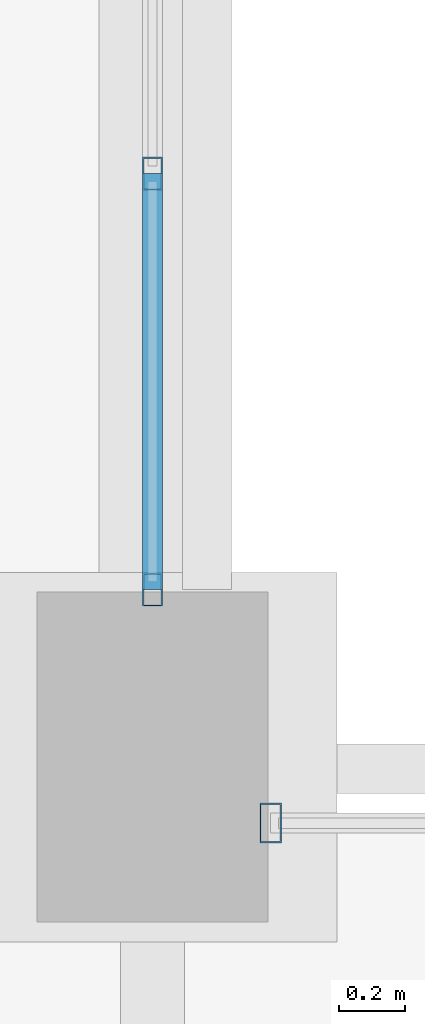
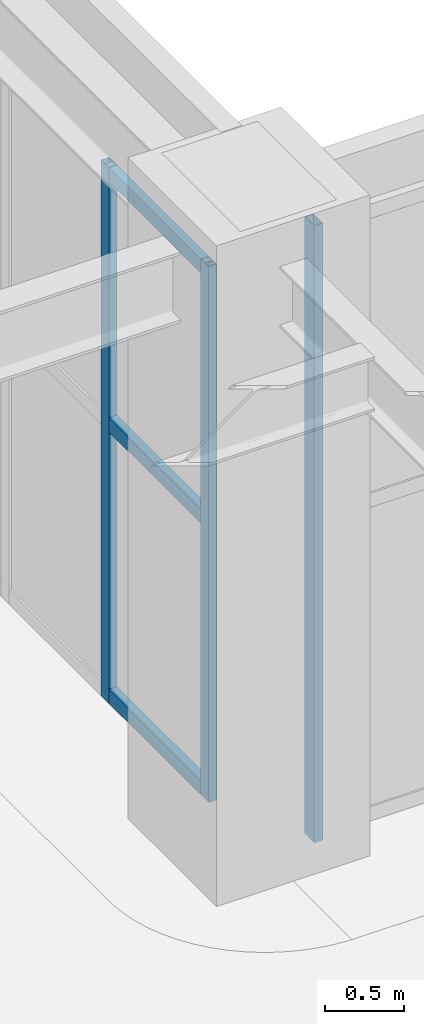
# One storey, part 90 of 174: 6 members, 2 elements without a shape of their own.
"""IFC4 building model written with IfcOpenShell, lengths in metres."""

from ifc_helpers import new_model, si_unit, direction, frame, origin, origin_2d, place, context, subcontext, project, spatial, hollow_rectangle, extrude, material, material_profile, profile_set, type_object, element, aggregate, save


model = new_model("IFC4")

# Units and contexts
model_context = context("Model", 3, precision=1e-05, world=origin(), true_north=direction((0.0, 1.0)))
body_context = subcontext(model_context, "Body", "Model", "MODEL_VIEW")
ifc_project = project(units=[si_unit("LENGTHUNIT", "METRE"), si_unit("AREAUNIT", "SQUARE_METRE"), si_unit("VOLUMEUNIT", "CUBIC_METRE"), si_unit("PLANEANGLEUNIT", "RADIAN"), si_unit("MASSUNIT", "GRAM", prefix="KILO")], contexts=[model_context])

# Site, building, storey
site_placement = place(None, origin())
site = spatial("IfcSite", under=ifc_project, at=site_placement, CompositionType="ELEMENT")
building_placement = place(site_placement, origin())
building = spatial("IfcBuilding", under=site, at=building_placement, Name="Mavantir Sound Aquarium", CompositionType="ELEMENT")
storey_placement = place(building_placement, frame((0.0, 0.0, 5.39990234375)))
storey = spatial("IfcBuildingStorey", under=building, at=storey_placement, Name="L01", CompositionType="ELEMENT", Elevation=5.39990234375)

# Curtain wall, members
ifc_material_1 = material(Name="Anodised Marine Aluminium and Low-E Glass", Category="aluminium")
curtain_wall_type_1 = type_object("IfcCurtainWallType", Name="CW-T13", PredefinedType="USERDEFINED", material=ifc_material_1)
curtain_wall_1_placement = place(storey_placement, origin())
curtain_wall_1 = element("IfcCurtainWall", 1, at=curtain_wall_1_placement, inside=storey, type_object=curtain_wall_type_1, Name="L01 unitised curtain wall CW-13 85", ObjectType="UNITISED GLAZING", PredefinedType="USERDEFINED")
ifc_material_2 = material(Name="Anodised Marine Aluminium 6063-T6", Category="aluminium")
ifc_material_profile_1 = material_profile(ifc_material_2, hollow_rectangle(XDim=0.06005859375, YDim=0.10009765625, WallThickness=0.00390625, at=origin_2d()), Name="ALU-MULLION-100X60")
ifc_profile_set_1 = profile_set([ifc_material_profile_1], Name="Anodised Marine Aluminium 6063-T6")
member_type_1 = type_object("IfcMemberType", Name="CW-MUL-100", PredefinedType="MULLION", material=ifc_profile_set_1)
member_1_placement = place(storey_placement, frame((127.199951171875, 86.30810546875, 0.0), z_axis=(0.0, 0.0, 1.0), x_axis=(1.0, 0.0, 0.0)))
member_1 = element("IfcMember", 2, at=member_1_placement, type_object=member_type_1, Name="CW-L01-085 vertical mullion 1", PredefinedType="MULLION", context=body_context, shape_type="SweptSolid", body=[
    extrude(hollow_rectangle(XDim=0.06005859375, YDim=0.10009765625, WallThickness=0.00390625, at=origin_2d()), origin(), (0.0, 0.0, 1.0), 4.135009765625),
])
member_2_placement = place(storey_placement, frame((127.199951171875, 87.5693359375, 0.0), z_axis=(0.0, 0.0, 1.0), x_axis=(1.0, 0.0, 0.0)))
member_2 = element("IfcMember", 3, at=member_2_placement, type_object=member_type_1, Name="CW-L01-085 vertical mullion 2", PredefinedType="MULLION", context=body_context, shape_type="SweptSolid", body=[
    extrude(hollow_rectangle(XDim=0.06005859375, YDim=0.10009765625, WallThickness=0.00390625, at=origin_2d()), origin(), (0.0, 0.0, 1.0), 4.135009765625),
])

# Curtain wall, member
curtain_wall_type_2 = type_object("IfcCurtainWallType", Name="CW-T12", PredefinedType="USERDEFINED", material=ifc_material_1)
curtain_wall_2_placement = place(storey_placement, origin())
curtain_wall_2 = element("IfcCurtainWall", 4, at=curtain_wall_2_placement, inside=storey, type_object=curtain_wall_type_2, Name="L01 unitised curtain wall CW-12 84", ObjectType="UNITISED GLAZING", PredefinedType="USERDEFINED")
ifc_material_profile_2 = material_profile(ifc_material_2, hollow_rectangle(XDim=0.06494140625, YDim=0.1201171875, WallThickness=0.00390625, at=origin_2d()), Name="ALU-MULLION-120X65")
ifc_profile_set_2 = profile_set([ifc_material_profile_2], Name="Anodised Marine Aluminium 6063-T6")
member_type_2 = type_object("IfcMemberType", Name="CW-MUL-120", PredefinedType="MULLION", material=ifc_profile_set_2)
member_3_placement = place(storey_placement, frame((127.55810546875, 85.60009765625, 0.0), z_axis=(0.0, 0.0, 1.0), x_axis=(1.0, 0.0, 0.0)))
member_3 = element("IfcMember", 5, at=member_3_placement, type_object=member_type_2, Name="CW-L01-084 vertical mullion 7", PredefinedType="MULLION", context=body_context, shape_type="SweptSolid", body=[
    extrude(hollow_rectangle(XDim=0.06494140625, YDim=0.1201171875, WallThickness=0.00390625, at=origin_2d()), origin(), (0.0, 0.0, 1.0), 4.760009765625),
])
aggregate(curtain_wall_2, [member_3])

# Member
ifc_material_profile_3 = material_profile(ifc_material_2, hollow_rectangle(XDim=0.06005859375, YDim=0.110107421875, WallThickness=0.00390625, at=origin_2d()), Name="ALU-TRANSOM-110X60")
ifc_profile_set_3 = profile_set([ifc_material_profile_3], Name="Anodised Marine Aluminium 6063-T6")
member_type_3 = type_object("IfcMemberType", Name="CW-TRN-110", PredefinedType="USERDEFINED", material=ifc_profile_set_3)
member_4_placement = place(storey_placement, frame((127.199951171875, 86.30810546875, 0.05517578125), z_axis=(0.0, 1.0, 0.0), x_axis=(-1.0, 0.0, 0.0)))
member_4 = element("IfcMember", 6, at=member_4_placement, type_object=member_type_3, Name="CW-L01-085 transom 1.1", ObjectType="TRANSOM", PredefinedType="USERDEFINED", context=body_context, shape_type="SweptSolid", body=[
    extrude(hollow_rectangle(XDim=0.06005859375, YDim=0.110107421875, WallThickness=0.00390625, at=origin_2d()), origin(), (0.0, 0.0, 1.0), 1.26123046875),
])

member_5_placement = place(storey_placement, frame((127.199951171875, 86.30810546875, 2.150390625), z_axis=(0.0, 1.0, 0.0), x_axis=(-1.0, 0.0, 0.0)))
member_5 = element("IfcMember", 7, at=member_5_placement, type_object=member_type_3, Name="CW-L01-085 transom 1.2", ObjectType="TRANSOM", PredefinedType="USERDEFINED", context=body_context, shape_type="SweptSolid", body=[
    extrude(hollow_rectangle(XDim=0.06005859375, YDim=0.110107421875, WallThickness=0.00390625, at=origin_2d()), origin(), (0.0, 0.0, 1.0), 1.26123046875),
])

member_6_placement = place(storey_placement, frame((127.199951171875, 86.30810546875, 4.080078125), z_axis=(0.0, 1.0, 0.0), x_axis=(-1.0, 0.0, 0.0)))
member_6 = element("IfcMember", 8, at=member_6_placement, type_object=member_type_3, Name="CW-L01-085 transom 1.3", ObjectType="TRANSOM", PredefinedType="USERDEFINED", context=body_context, shape_type="SweptSolid", body=[
    extrude(hollow_rectangle(XDim=0.06005859375, YDim=0.110107421875, WallThickness=0.00390625, at=origin_2d()), origin(), (0.0, 0.0, 1.0), 1.26123046875),
])

aggregate(curtain_wall_1, [member_1, member_2, member_4, member_5, member_6])

save(model, "model.ifc")
